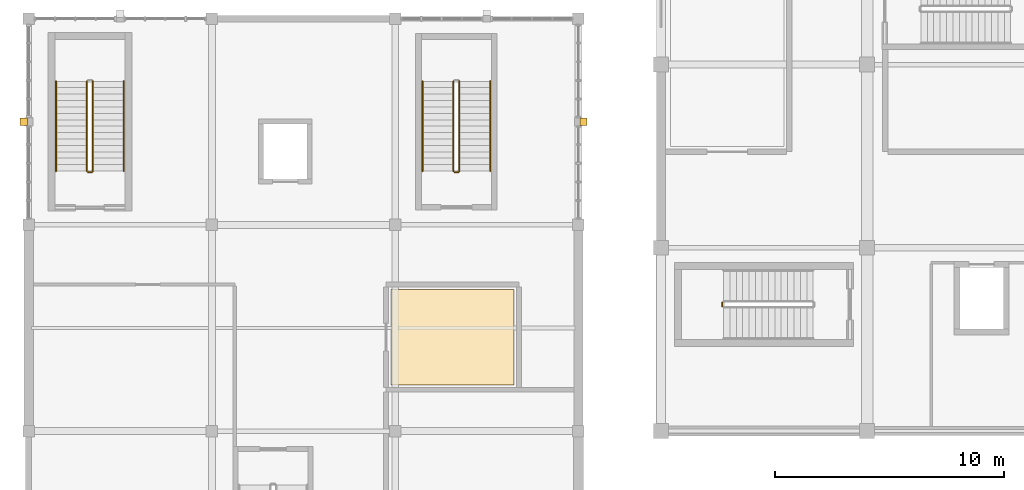
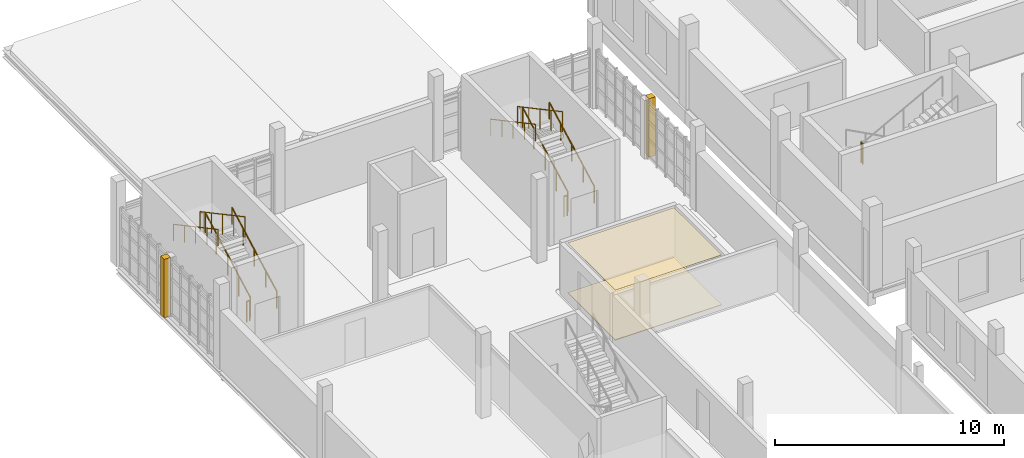
# One storey, part 111 of 125: 11 railings, 4 coverings.
"""IFC4 building model written with IfcOpenShell, lengths in metres."""

from ifc_helpers import new_model, si_unit, direction, frame, origin, origin_2d, place, context, subcontext, project, spatial, polyline, circle, outline, extrude, material, layer, layer_set, type_object, element, save


model = new_model("IFC4")

# Units and contexts
model_context = context("Model", 3, precision=1e-05, world=origin(), true_north=direction((0.0, 1.0)))
body_context = subcontext(model_context, "Body", "Model", "MODEL_VIEW")
ifc_project = project(units=[si_unit("LENGTHUNIT", "METRE"), si_unit("AREAUNIT", "SQUARE_METRE"), si_unit("VOLUMEUNIT", "CUBIC_METRE"), si_unit("PLANEANGLEUNIT", "RADIAN"), si_unit("MASSUNIT", "GRAM", prefix="KILO")], contexts=[model_context])

# Site, building, storey
site_placement = place(None, origin())
site = spatial("IfcSite", under=ifc_project, at=site_placement, CompositionType="ELEMENT")
building_placement = place(site_placement, origin())
building = spatial("IfcBuilding", under=site, at=building_placement, Name="Serraforn Aerial Cableway Station", CompositionType="ELEMENT")
storey_placement = place(building_placement, frame((0.0, 0.0, 4.5)))
storey = spatial("IfcBuildingStorey", under=building, at=storey_placement, Name="L01", CompositionType="ELEMENT", Elevation=4.5)

# Coverings
ifc_material_1 = material(Name="Fluted patinated bronze Art Deco pilaster cladding")
ifc_layer_1 = layer(ifc_material_1, 0.034912109375)
ifc_layer_set_1 = layer_set([ifc_layer_1], Name="Fluted patinated bronze Art Deco pilaster cladding")
covering_type_1 = type_object("IfcCoveringType", Name="COV-CLAD-BRZ", PredefinedType="CLADDING", material=ifc_layer_set_1)
covering_1_placement = place(storey_placement, origin())
element("IfcCovering", 1, at=covering_1_placement, inside=storey, type_object=covering_type_1, Name="Art Deco Bronze Pilaster Cladding W-L01-W4", PredefinedType="CLADDING", context=body_context, shape_type="SweptSolid", body=[
    extrude(outline(polyline([(-0.3798828125, 31.340087890625), (-0.06005859375, 31.340087890625), (-0.06005859375, 31.659912109375), (-0.3798828125, 31.659912109375), (-0.3798828125, 31.340087890625)])), origin(), (0.0, 0.0, 1.0), 3.1201171875),
])
covering_2_placement = place(storey_placement, origin())
element("IfcCovering", 2, at=covering_2_placement, inside=storey, type_object=covering_type_1, Name="Art Deco Bronze Pilaster Cladding W-L01-E4", PredefinedType="CLADDING", context=body_context, shape_type="SweptSolid", body=[
    extrude(outline(polyline([(24.06005859375, 31.340087890625), (24.3798828125, 31.340087890625), (24.3798828125, 31.659912109375), (24.06005859375, 31.659912109375), (24.06005859375, 31.340087890625)])), origin(), (0.0, 0.0, 1.0), 3.1201171875),
])
ifc_material_2 = material(Name="Fire-protective gypsum board ceiling")
ifc_layer_2 = layer(ifc_material_2, 0.02001953125)
ifc_layer_set_2 = layer_set([ifc_layer_2], Name="Fire-protective gypsum board ceiling")
covering_type_2 = type_object("IfcCoveringType", Name="COV-CLG-GYP", PredefinedType="CEILING", material=ifc_layer_set_2)
covering_3_placement = place(storey_placement, frame((0.0, 0.0, 2.659912109375)))
element("IfcCovering", 3, at=covering_3_placement, inside=storey, type_object=covering_type_2, Name="Suspended Ceiling L01-03", PredefinedType="CEILING", context=body_context, shape_type="SweptSolid", body=[
    extrude(outline(polyline([(15.820068359375, 20.02001953125), (15.820068359375, 24.179931640625), (21.179931640625, 24.179931640625), (21.179931640625, 20.02001953125), (15.820068359375, 20.02001953125)])), origin(), (0.0, 0.0, 1.0), 0.02001953125),
])
ifc_material_3 = material(Name="Honed Montjuic limestone flooring", Category="masonry")
ifc_layer_3 = layer(ifc_material_3, 0.030029296875)
ifc_layer_set_3 = layer_set([ifc_layer_3], Name="Honed Montjuic limestone flooring")
covering_type_3 = type_object("IfcCoveringType", Name="COV-FLR-STN", PredefinedType="FLOORING", material=ifc_layer_set_3)
covering_4_placement = place(storey_placement, origin())
element("IfcCovering", 4, at=covering_4_placement, inside=storey, type_object=covering_type_3, Name="Flooring L01-03", PredefinedType="FLOORING", context=body_context, shape_type="SweptSolid", body=[
    extrude(outline(polyline([(15.820068359375, 20.02001953125), (15.820068359375, 24.179931640625), (21.179931640625, 24.179931640625), (21.179931640625, 20.02001953125), (15.820068359375, 20.02001953125)])), origin(), (0.0, 0.0, 1.0), 0.030029296875),
])

# Railings
ifc_material_4 = material(Name="Patinated bronze stair guardrail")
ifc_layer_4 = layer(ifc_material_4, 0.050048828125)
ifc_layer_set_4 = layer_set([ifc_layer_4], Name="Patinated bronze stair guardrail")
railing_type_1 = type_object("IfcRailingType", Name="RL-STR-GRD", PredefinedType="GUARDRAIL", material=ifc_layer_set_4)
railing_1_placement = place(storey_placement, frame((2.800048828125, 29.35009765625, 0.14990234375)))
element("IfcRailing", 5, at=railing_1_placement, inside=storey, type_object=railing_type_1, Name="L01 ST-01 stair guard 1", PredefinedType="GUARDRAIL", context=body_context, shape_type="SweptSolid", body=[
    extrude(circle(Radius=0.02392578125, at=origin_2d()), frame((0.0, 0.0, 1.076171875), z_axis=(0.0, 0.881466911329, 0.472245787945), x_axis=(-1.0, 0.0, 0.0)), (0.0, 0.0, 1.0), 4.447021484375),
    extrude(circle(Radius=0.02099609375, at=origin_2d()), origin(), (0.0, 0.0, 1.0), 1.052001953125),
    extrude(circle(Radius=0.02099609375, at=origin_2d()), frame((0.0, 0.97998046875, 0.52490234375)), (0.0, 0.0, 1.0), 1.052001953125),
    extrude(circle(Radius=0.02099609375, at=origin_2d()), frame((0.0, 1.9599609375, 1.050048828125)), (0.0, 0.0, 1.0), 1.052001953125),
    extrude(circle(Radius=0.02099609375, at=origin_2d()), frame((0.0, 2.93994140625, 1.5751953125)), (0.0, 0.0, 1.0), 1.052001953125),
    extrude(circle(Radius=0.02099609375, at=origin_2d()), frame((0.0, 3.919921875, 2.10009765625)), (0.0, 0.0, 1.0), 1.052001953125),
])
railing_2_placement = place(storey_placement, frame((2.5400390625, 33.27001953125, 2.39990234375)))
element("IfcRailing", 6, at=railing_2_placement, inside=storey, type_object=railing_type_1, Name="L01 ST-01 stair guard 3", PredefinedType="GUARDRAIL", context=body_context, shape_type="SweptSolid", body=[
    extrude(circle(Radius=0.02392578125, at=origin_2d()), frame((0.0, 0.0, 1.076171875), z_axis=(0.0, -0.881466911329, 0.472245787945), x_axis=(1.0, 0.0, 0.0)), (0.0, 0.0, 1.0), 4.447021484375),
    extrude(circle(Radius=0.02099609375, at=origin_2d()), origin(), (0.0, 0.0, 1.0), 1.052001953125),
    extrude(circle(Radius=0.02099609375, at=origin_2d()), frame((0.0, -0.97998046875, 0.52490234375)), (0.0, 0.0, 1.0), 1.052001953125),
    extrude(circle(Radius=0.02099609375, at=origin_2d()), frame((0.0, -1.9599609375, 1.050048828125)), (0.0, 0.0, 1.0), 1.052001953125),
    extrude(circle(Radius=0.02099609375, at=origin_2d()), frame((0.0, -2.93994140625, 1.5751953125)), (0.0, 0.0, 1.0), 1.052001953125),
    extrude(circle(Radius=0.02099609375, at=origin_2d()), frame((0.0, -3.919921875, 2.10009765625)), (0.0, 0.0, 1.0), 1.052001953125),
])
railing_3_placement = place(storey_placement, frame((2.75, 29.300048828125, 0.0)))
element("IfcRailing", 7, at=railing_3_placement, inside=storey, type_object=railing_type_1, Name="L01 ST-01 stair guard 4", PredefinedType="GUARDRAIL", context=body_context, shape_type="SweptSolid", body=[
    extrude(circle(Radius=0.02392578125, at=origin_2d()), frame((0.0, 0.0, 1.076171875), z_axis=(-1.0, 0.0, 0.0), x_axis=(0.0, -1.0, 0.0)), (0.0, 0.0, 1.0), 0.159912109375),
    extrude(circle(Radius=0.02099609375, at=origin_2d()), origin(), (0.0, 0.0, 1.0), 1.052001953125),
    extrude(circle(Radius=0.02099609375, at=origin_2d()), frame((-0.159912109375, 0.0, 0.0)), (0.0, 0.0, 1.0), 1.052001953125),
])
railing_4_placement = place(storey_placement, frame((18.800048828125, 29.35009765625, 0.14990234375)))
element("IfcRailing", 8, at=railing_4_placement, inside=storey, type_object=railing_type_1, Name="L01 ST-02 stair guard 1", PredefinedType="GUARDRAIL", context=body_context, shape_type="SweptSolid", body=[
    extrude(circle(Radius=0.02392578125, at=origin_2d()), frame((0.0, 0.0, 1.076171875), z_axis=(0.0, 0.881466911329, 0.472245787945), x_axis=(-1.0, 0.0, 0.0)), (0.0, 0.0, 1.0), 4.447021484375),
    extrude(circle(Radius=0.02099609375, at=origin_2d()), origin(), (0.0, 0.0, 1.0), 1.052001953125),
    extrude(circle(Radius=0.02099609375, at=origin_2d()), frame((0.0, 0.97998046875, 0.52490234375)), (0.0, 0.0, 1.0), 1.052001953125),
    extrude(circle(Radius=0.02099609375, at=origin_2d()), frame((0.0, 1.9599609375, 1.050048828125)), (0.0, 0.0, 1.0), 1.052001953125),
    extrude(circle(Radius=0.02099609375, at=origin_2d()), frame((0.0, 2.93994140625, 1.5751953125)), (0.0, 0.0, 1.0), 1.052001953125),
    extrude(circle(Radius=0.02099609375, at=origin_2d()), frame((0.0, 3.919921875, 2.10009765625)), (0.0, 0.0, 1.0), 1.052001953125),
])
railing_5_placement = place(storey_placement, frame((18.5400390625, 33.27001953125, 2.39990234375)))
element("IfcRailing", 9, at=railing_5_placement, inside=storey, type_object=railing_type_1, Name="L01 ST-02 stair guard 3", PredefinedType="GUARDRAIL", context=body_context, shape_type="SweptSolid", body=[
    extrude(circle(Radius=0.02392578125, at=origin_2d()), frame((0.0, 0.0, 1.076171875), z_axis=(0.0, -0.881466911329, 0.472245787945), x_axis=(1.0, 0.0, 0.0)), (0.0, 0.0, 1.0), 4.447021484375),
    extrude(circle(Radius=0.02099609375, at=origin_2d()), origin(), (0.0, 0.0, 1.0), 1.052001953125),
    extrude(circle(Radius=0.02099609375, at=origin_2d()), frame((0.0, -0.97998046875, 0.52490234375)), (0.0, 0.0, 1.0), 1.052001953125),
    extrude(circle(Radius=0.02099609375, at=origin_2d()), frame((0.0, -1.9599609375, 1.050048828125)), (0.0, 0.0, 1.0), 1.052001953125),
    extrude(circle(Radius=0.02099609375, at=origin_2d()), frame((0.0, -2.93994140625, 1.5751953125)), (0.0, 0.0, 1.0), 1.052001953125),
    extrude(circle(Radius=0.02099609375, at=origin_2d()), frame((0.0, -3.919921875, 2.10009765625)), (0.0, 0.0, 1.0), 1.052001953125),
])
railing_6_placement = place(storey_placement, frame((18.75, 29.300048828125, 0.0)))
element("IfcRailing", 10, at=railing_6_placement, inside=storey, type_object=railing_type_1, Name="L01 ST-02 stair guard 4", PredefinedType="GUARDRAIL", context=body_context, shape_type="SweptSolid", body=[
    extrude(circle(Radius=0.02392578125, at=origin_2d()), frame((0.0, 0.0, 1.076171875), z_axis=(-1.0, 0.0, 0.0), x_axis=(0.0, -1.0, 0.0)), (0.0, 0.0, 1.0), 0.159912109375),
    extrude(circle(Radius=0.02099609375, at=origin_2d()), origin(), (0.0, 0.0, 1.0), 1.052001953125),
    extrude(circle(Radius=0.02099609375, at=origin_2d()), frame((-0.159912109375, 0.0, 0.0)), (0.0, 0.0, 1.0), 1.052001953125),
])
railing_7_placement = place(storey_placement, frame((30.280029296875, 23.610107421875, 2.25)))
element("IfcRailing", 11, at=railing_7_placement, inside=storey, type_object=railing_type_1, Name="L01 ST-03 stair guard 2", PredefinedType="GUARDRAIL", context=body_context, shape_type="SweptSolid", body=[
    extrude(circle(Radius=0.02392578125, at=origin_2d()), frame((0.0, 0.0, 1.076171875), z_axis=(0.0, -1.0, 0.0), x_axis=(1.0, 0.0, 0.0)), (0.0, 0.0, 1.0), 0.16015625),
    extrude(circle(Radius=0.02099609375, at=origin_2d()), origin(), (0.0, 0.0, 1.0), 1.052001953125),
    extrude(circle(Radius=0.02099609375, at=origin_2d()), frame((0.0, -0.16015625, 0.0)), (0.0, 0.0, 1.0), 1.052001953125),
])
ifc_material_5 = material(Name="Brushed bronze tubular handrail")
ifc_layer_5 = layer(ifc_material_5, 0.048095703125)
ifc_layer_set_5 = layer_set([ifc_layer_5], Name="Brushed bronze tubular handrail")
railing_type_2 = type_object("IfcRailingType", Name="RL-STR-HDR", PredefinedType="HANDRAIL", material=ifc_layer_set_5)
railing_8_placement = place(storey_placement, frame((4.14990234375, 29.35009765625, 0.14990234375)))
element("IfcRailing", 12, at=railing_8_placement, inside=storey, type_object=railing_type_2, Name="L01 ST-01 stair handrail 1", PredefinedType="HANDRAIL", context=body_context, shape_type="SweptSolid", body=[
    extrude(circle(Radius=0.02392578125, at=origin_2d()), frame((0.0, 0.0, 0.8759765625), z_axis=(0.0, 0.881466911329, 0.472245787945), x_axis=(-1.0, 0.0, 0.0)), (0.0, 0.0, 1.0), 4.447021484375),
    extrude(circle(Radius=0.02099609375, at=origin_2d()), origin(), (0.0, 0.0, 1.0), 0.851806640625),
    extrude(circle(Radius=0.02099609375, at=origin_2d()), frame((0.0, 0.97998046875, 0.52490234375)), (0.0, 0.0, 1.0), 0.851806640625),
    extrude(circle(Radius=0.02099609375, at=origin_2d()), frame((0.0, 1.9599609375, 1.050048828125)), (0.0, 0.0, 1.0), 0.851806640625),
    extrude(circle(Radius=0.02099609375, at=origin_2d()), frame((0.0, 2.93994140625, 1.5751953125)), (0.0, 0.0, 1.0), 0.851806640625),
    extrude(circle(Radius=0.02099609375, at=origin_2d()), frame((0.0, 3.919921875, 2.10009765625)), (0.0, 0.0, 1.0), 0.851806640625),
])
railing_9_placement = place(storey_placement, frame((1.18994140625, 33.27001953125, 2.39990234375)))
element("IfcRailing", 13, at=railing_9_placement, inside=storey, type_object=railing_type_2, Name="L01 ST-01 stair handrail 2", PredefinedType="HANDRAIL", context=body_context, shape_type="SweptSolid", body=[
    extrude(circle(Radius=0.02392578125, at=origin_2d()), frame((0.0, 0.0, 0.8759765625), z_axis=(0.0, -0.881466911329, 0.472245787945), x_axis=(1.0, 0.0, 0.0)), (0.0, 0.0, 1.0), 4.447021484375),
    extrude(circle(Radius=0.02099609375, at=origin_2d()), origin(), (0.0, 0.0, 1.0), 0.851806640625),
    extrude(circle(Radius=0.02099609375, at=origin_2d()), frame((0.0, -0.97998046875, 0.52490234375)), (0.0, 0.0, 1.0), 0.851806640625),
    extrude(circle(Radius=0.02099609375, at=origin_2d()), frame((0.0, -1.9599609375, 1.050048828125)), (0.0, 0.0, 1.0), 0.851806640625),
    extrude(circle(Radius=0.02099609375, at=origin_2d()), frame((0.0, -2.93994140625, 1.5751953125)), (0.0, 0.0, 1.0), 0.851806640625),
    extrude(circle(Radius=0.02099609375, at=origin_2d()), frame((0.0, -3.919921875, 2.10009765625)), (0.0, 0.0, 1.0), 0.851806640625),
])
railing_10_placement = place(storey_placement, frame((20.14990234375, 29.35009765625, 0.14990234375)))
element("IfcRailing", 14, at=railing_10_placement, inside=storey, type_object=railing_type_2, Name="L01 ST-02 stair handrail 1", PredefinedType="HANDRAIL", context=body_context, shape_type="SweptSolid", body=[
    extrude(circle(Radius=0.02392578125, at=origin_2d()), frame((0.0, 0.0, 0.8759765625), z_axis=(0.0, 0.881466911329, 0.472245787945), x_axis=(-1.0, 0.0, 0.0)), (0.0, 0.0, 1.0), 4.447021484375),
    extrude(circle(Radius=0.02099609375, at=origin_2d()), origin(), (0.0, 0.0, 1.0), 0.851806640625),
    extrude(circle(Radius=0.02099609375, at=origin_2d()), frame((0.0, 0.97998046875, 0.52490234375)), (0.0, 0.0, 1.0), 0.851806640625),
    extrude(circle(Radius=0.02099609375, at=origin_2d()), frame((0.0, 1.9599609375, 1.050048828125)), (0.0, 0.0, 1.0), 0.851806640625),
    extrude(circle(Radius=0.02099609375, at=origin_2d()), frame((0.0, 2.93994140625, 1.5751953125)), (0.0, 0.0, 1.0), 0.851806640625),
    extrude(circle(Radius=0.02099609375, at=origin_2d()), frame((0.0, 3.919921875, 2.10009765625)), (0.0, 0.0, 1.0), 0.851806640625),
])
railing_11_placement = place(storey_placement, frame((17.18994140625, 33.27001953125, 2.39990234375)))
element("IfcRailing", 15, at=railing_11_placement, inside=storey, type_object=railing_type_2, Name="L01 ST-02 stair handrail 2", PredefinedType="HANDRAIL", context=body_context, shape_type="SweptSolid", body=[
    extrude(circle(Radius=0.02392578125, at=origin_2d()), frame((0.0, 0.0, 0.8759765625), z_axis=(0.0, -0.881466911329, 0.472245787945), x_axis=(1.0, 0.0, 0.0)), (0.0, 0.0, 1.0), 4.447021484375),
    extrude(circle(Radius=0.02099609375, at=origin_2d()), origin(), (0.0, 0.0, 1.0), 0.851806640625),
    extrude(circle(Radius=0.02099609375, at=origin_2d()), frame((0.0, -0.97998046875, 0.52490234375)), (0.0, 0.0, 1.0), 0.851806640625),
    extrude(circle(Radius=0.02099609375, at=origin_2d()), frame((0.0, -1.9599609375, 1.050048828125)), (0.0, 0.0, 1.0), 0.851806640625),
    extrude(circle(Radius=0.02099609375, at=origin_2d()), frame((0.0, -2.93994140625, 1.5751953125)), (0.0, 0.0, 1.0), 0.851806640625),
    extrude(circle(Radius=0.02099609375, at=origin_2d()), frame((0.0, -3.919921875, 2.10009765625)), (0.0, 0.0, 1.0), 0.851806640625),
])

save(model, "model.ifc")
